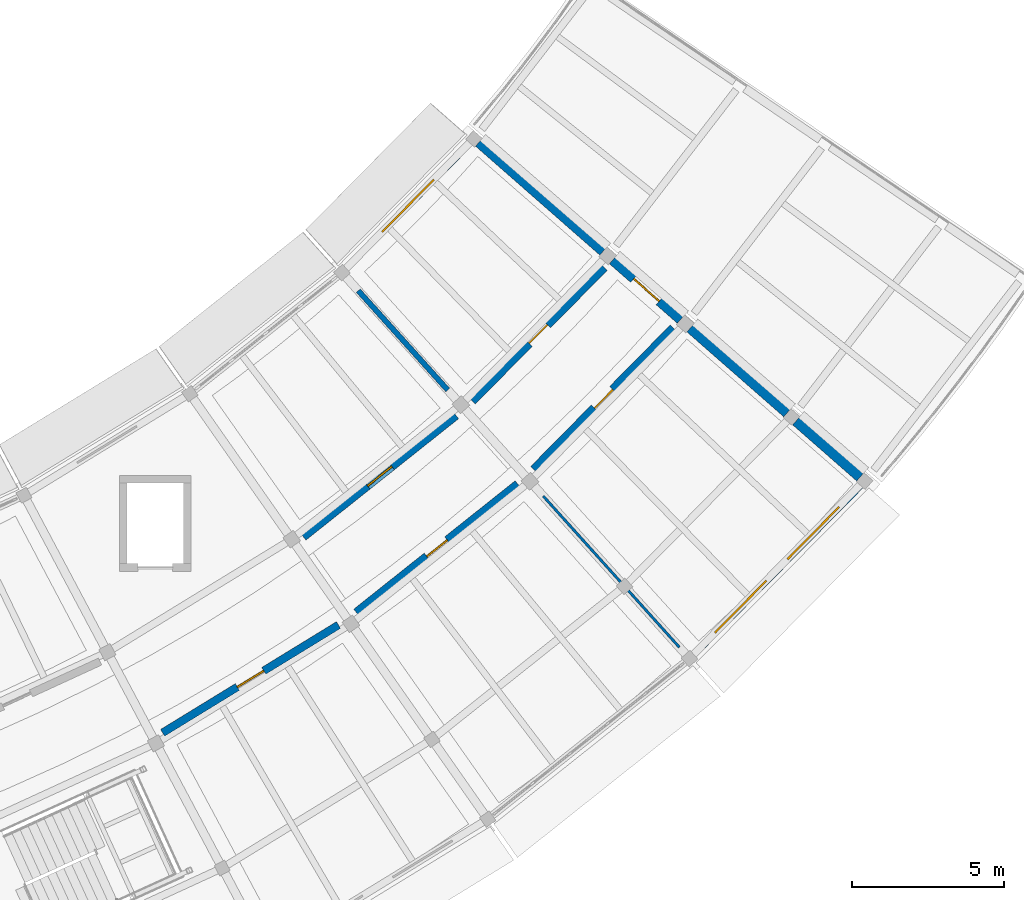
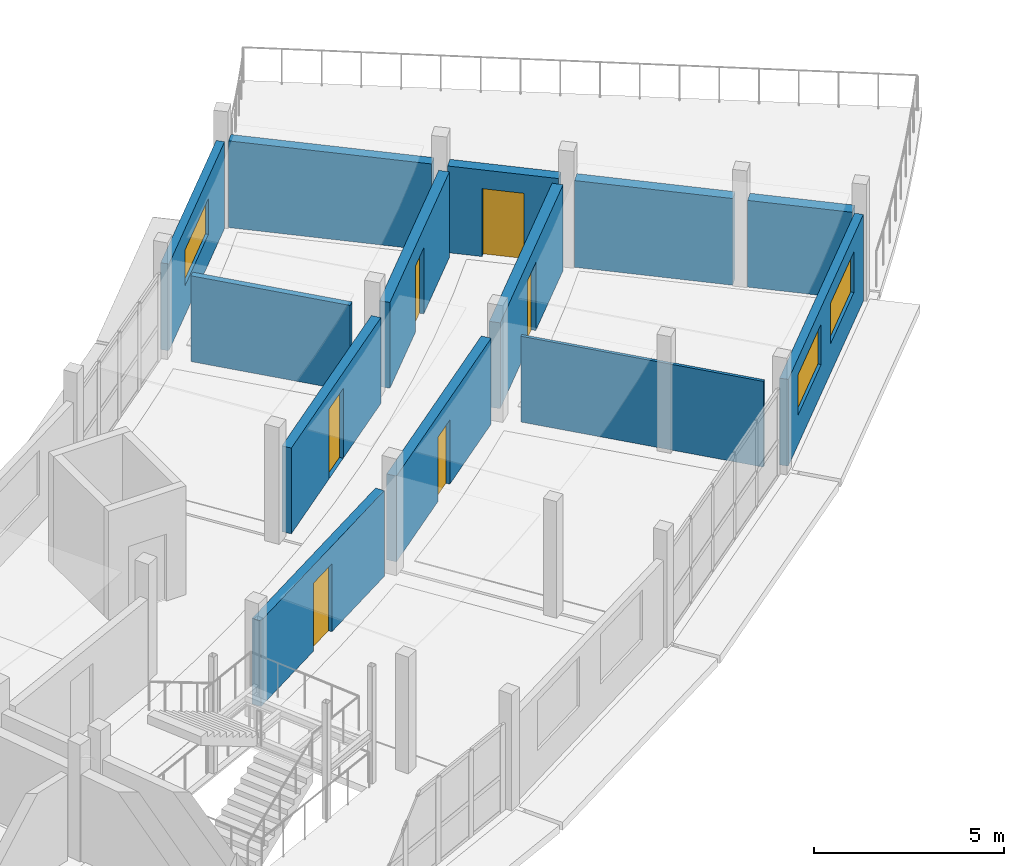
# One storey, part 56 of 66: 13 walls, 6 doors, 3 windows, 9 openings.
"""IFC4 building model written with IfcOpenShell, lengths in metres."""

from ifc_helpers import new_model, si_unit, direction, frame, frame_2d, origin, place, context, subcontext, project, spatial, rectangle, extrude, material, layer, layer_set, type_object, element, fill, save


model = new_model("IFC4")

# Units and contexts
model_context = context("Model", 3, precision=1e-05, world=origin(), true_north=direction((0.0, 1.0)))
body_context = subcontext(model_context, "Body", "Model", "MODEL_VIEW")
ifc_project = project(units=[si_unit("LENGTHUNIT", "METRE"), si_unit("AREAUNIT", "SQUARE_METRE"), si_unit("VOLUMEUNIT", "CUBIC_METRE"), si_unit("PLANEANGLEUNIT", "RADIAN"), si_unit("MASSUNIT", "GRAM", prefix="KILO")], contexts=[model_context])

# Site, building, storey
site_placement = place(None, origin())
site = spatial("IfcSite", under=ifc_project, at=site_placement, CompositionType="ELEMENT")
building_placement = place(site_placement, origin())
building = spatial("IfcBuilding", under=site, at=building_placement, Name="Caldaven Crescent School", CompositionType="ELEMENT")
storey_placement = place(building_placement, frame((0.0, 0.0, 8.159912109375)))
storey = spatial("IfcBuildingStorey", under=building, at=storey_placement, Name="L02", CompositionType="ELEMENT", Elevation=8.159912109375)

# Wall, opening, window
ifc_material_1 = material(Name="Precast concrete C35/45", Category="concrete")
ifc_layer_1 = layer(ifc_material_1, 0.22802734375)
ifc_layer_set_1 = layer_set([ifc_layer_1], Name="Precast concrete C35/45")
wall_type_1 = type_object("IfcWallType", Name="WAL-EW04", PredefinedType="STANDARD", material=ifc_layer_set_1)
wall_1_placement = place(storey_placement, frame((123.23486328125, 57.1630859375, 0.0), z_axis=(0.0, 0.0, 1.0), x_axis=(0.702392539927, 0.711789800331, 0.0)))
wall_1 = element("IfcWall", 1, at=wall_1_placement, inside=storey, type_object=wall_type_1, Name="EW-L02-185", PredefinedType="STANDARD", context=body_context, shape_type="SweptSolid", body=[
    extrude(rectangle(XDim=5.79345703125, YDim=0.22802734375, at=frame_2d((2.896728515625, 0.0))), origin(), (0.0, 0.0, 1.0), 2.780029296875),
])
opening_1_placement = place(wall_1_placement, frame((1.686767578125, 0.0, 0.949951171875)))
opening_1 = element("IfcOpeningElement", 2, at=opening_1_placement, cuts=wall_1, Name="Opening W45", PredefinedType="OPENING", context=body_context, shape_type="SweptSolid", body=[
    extrude(rectangle(XDim=2.419921875, YDim=1.14990234375, at=frame_2d((1.2099609375, 0.574951171875))), frame((0.0, 0.1240234375, 0.0), z_axis=(0.0, -1.0, 0.0), x_axis=(1.0, 0.0, 0.0)), (0.0, 0.0, 1.0), 0.248046875),
])
ifc_material_2 = material(Name="Thermally broken anodised aluminium AA 6063-T6 and low-E double glazing", Category="aluminium")
window_type_1 = type_object("IfcWindowType", Name="WIN-W45", PartitioningType="SINGLE_PANEL", PredefinedType="WINDOW", material=ifc_material_2)
window_1_placement = place(opening_1_placement, origin())
window_1 = element("IfcWindow", 3, at=window_1_placement, inside=storey, type_object=window_type_1, Name="WIN-L02-092-1", OverallHeight=1.14990234375, OverallWidth=2.419921875, PartitioningType="SINGLE_PANEL", PredefinedType="WINDOW", context=body_context, shape_type="SweptSolid", body=[
    extrude(rectangle(XDim=2.419921875, YDim=1.14990234375, at=frame_2d((1.2099609375, 0.574951171875))), frame((0.0, 0.030029296875, 0.0), z_axis=(0.0, -1.0, 0.0), x_axis=(1.0, 0.0, 0.0)), (0.0, 0.0, 1.0), 0.06005859375),
])
fill(opening_1, window_1)

# Wall, openings, windows
ifc_layer_2 = layer(ifc_material_1, 0.239990234375)
ifc_layer_set_2 = layer_set([ifc_layer_2], Name="Precast concrete C35/45")
wall_type_2 = type_object("IfcWallType", Name="WAL-EW05", PredefinedType="STANDARD", material=ifc_layer_set_2)
wall_2_placement = place(storey_placement, frame((134.677001953125, 44.455322265625, 0.0), z_axis=(0.0, 0.0, 1.0), x_axis=(0.702387300311, 0.711794970733, 0.0)))
wall_2 = element("IfcWall", 4, at=wall_2_placement, inside=storey, type_object=wall_type_2, Name="EW-L02-186", PredefinedType="STANDARD", context=body_context, shape_type="SweptSolid", body=[
    extrude(rectangle(XDim=7.811279296875, YDim=0.239990234375, at=frame_2d((3.90576171875, 0.0))), origin(), (0.0, 0.0, 1.0), 2.780029296875),
])
opening_2_placement = place(wall_2_placement, frame((0.990478515625, 0.0, 0.949951171875)))
opening_2 = element("IfcOpeningElement", 5, at=opening_2_placement, cuts=wall_2, Name="Opening W46", PredefinedType="OPENING", context=body_context, shape_type="SweptSolid", body=[
    extrude(rectangle(XDim=2.419921875, YDim=1.300048828125, at=frame_2d((1.2099609375, 0.64990234375))), frame((0.0, 0.1298828125, 0.0), z_axis=(0.0, -1.0, 0.0), x_axis=(1.0, 0.0, 0.0)), (0.0, 0.0, 1.0), 0.260009765625),
])
opening_3_placement = place(wall_2_placement, frame((4.40087890625, 0.0, 0.949951171875)))
opening_3 = element("IfcOpeningElement", 6, at=opening_3_placement, cuts=wall_2, Name="Opening W46", PredefinedType="OPENING", context=body_context, shape_type="SweptSolid", body=[
    extrude(rectangle(XDim=2.419921875, YDim=1.300048828125, at=frame_2d((1.2099609375, 0.64990234375))), frame((0.0, 0.1298828125, 0.0), z_axis=(0.0, -1.0, 0.0), x_axis=(1.0, 0.0, 0.0)), (0.0, 0.0, 1.0), 0.260009765625),
])
window_type_2 = type_object("IfcWindowType", Name="WIN-W46", PartitioningType="SINGLE_PANEL", PredefinedType="WINDOW", material=ifc_material_2)
window_2_placement = place(opening_2_placement, origin())
window_2 = element("IfcWindow", 7, at=window_2_placement, inside=storey, type_object=window_type_2, Name="WIN-L02-093-1", OverallHeight=1.300048828125, OverallWidth=2.419921875, PartitioningType="SINGLE_PANEL", PredefinedType="WINDOW", context=body_context, shape_type="SweptSolid", body=[
    extrude(rectangle(XDim=2.419921875, YDim=1.300048828125, at=frame_2d((1.2099609375, 0.64990234375))), frame((0.0, 0.030029296875, 0.0), z_axis=(0.0, -1.0, 0.0), x_axis=(1.0, 0.0, 0.0)), (0.0, 0.0, 1.0), 0.06005859375),
])
fill(opening_2, window_2)
window_3_placement = place(opening_3_placement, origin())
window_3 = element("IfcWindow", 8, at=window_3_placement, inside=storey, type_object=window_type_2, Name="WIN-L02-093-2", OverallHeight=1.300048828125, OverallWidth=2.419921875, PartitioningType="SINGLE_PANEL", PredefinedType="WINDOW", context=body_context, shape_type="SweptSolid", body=[
    extrude(rectangle(XDim=2.419921875, YDim=1.300048828125, at=frame_2d((1.2099609375, 0.64990234375))), frame((0.0, 0.030029296875, 0.0), z_axis=(0.0, -1.0, 0.0), x_axis=(1.0, 0.0, 0.0)), (0.0, 0.0, 1.0), 0.06005859375),
])
fill(opening_3, window_3)

# Wall
ifc_layer_3 = layer(ifc_material_1, 0.300048828125)
ifc_layer_set_3 = layer_set([ifc_layer_3], Name="Precast concrete C35/45")
wall_type_3 = type_object("IfcWallType", Name="WAL-EW10", PredefinedType="STANDARD", material=ifc_layer_set_3)
wall_3_placement = place(storey_placement, frame((127.592041015625, 61.29736328125, 0.0), z_axis=(0.0, 0.0, 1.0), x_axis=(0.752014754072, -0.65914627334, 0.0)))
element("IfcWall", 9, at=wall_3_placement, inside=storey, type_object=wall_type_3, Name="EW-L02-191", PredefinedType="STANDARD", context=body_context, shape_type="SweptSolid", body=[
    extrude(rectangle(XDim=5.439208984375, YDim=0.300048828125, at=frame_2d((2.7197265625, 0.0))), origin(), (0.0, 0.0, 1.0), 2.780029296875),
])

# Wall, opening, door
ifc_layer_4 = layer(ifc_material_1, 0.31201171875)
ifc_layer_set_4 = layer_set([ifc_layer_4], Name="Precast concrete C35/45")
wall_type_4 = type_object("IfcWallType", Name="WAL-EW11", PredefinedType="STANDARD", material=ifc_layer_set_4)
wall_4_placement = place(storey_placement, frame((132.002685546875, 57.431396484375, 0.0), z_axis=(0.0, 0.0, 1.0), x_axis=(0.751966127371, -0.659201747029, 0.0)))
wall_4 = element("IfcWall", 10, at=wall_4_placement, inside=storey, type_object=wall_type_4, Name="EW-L02-192", PredefinedType="STANDARD", context=body_context, shape_type="SweptSolid", body=[
    extrude(rectangle(XDim=2.973876953125, YDim=0.31201171875, at=frame_2d((1.48681640625, 0.0))), origin(), (0.0, 0.0, 1.0), 2.780029296875),
])
opening_4_placement = place(wall_4_placement, frame((0.927001953125, 0.0, 0.0)))
opening_4 = element("IfcOpeningElement", 11, at=opening_4_placement, cuts=wall_4, Name="Opening D-L02-E031", PredefinedType="OPENING", context=body_context, shape_type="SweptSolid", body=[
    extrude(rectangle(XDim=1.1201171875, YDim=2.179931640625, at=frame_2d((0.56005859375, 1.08984375))), frame((0.0, 0.166015625, 0.0), z_axis=(0.0, -1.0, 0.0), x_axis=(1.0, 0.0, 0.0)), (0.0, 0.0, 1.0), 0.33203125),
])
ifc_material_3 = material(Name="Thermally broken bronze-anodised aluminium and laminated safety glass", Category="aluminium")
door_type_1 = type_object("IfcDoorType", Name="DOR-EX04", OperationType="NOTDEFINED", PredefinedType="DOOR", material=ifc_material_3)
door_1_placement = place(opening_4_placement, origin())
door_1 = element("IfcDoor", 12, at=door_1_placement, inside=storey, type_object=door_type_1, Name="DOR-EXT-L02-031", OperationType="SINGLE_SWING_RIGHT", OverallHeight=2.179931640625, OverallWidth=1.1201171875, PredefinedType="DOOR", context=body_context, shape_type="SweptSolid", body=[
    extrude(rectangle(XDim=1.1201171875, YDim=2.179931640625, at=frame_2d((0.56005859375, 1.08984375))), frame((0.0, 0.02490234375, 0.0), z_axis=(0.0, -1.0, 0.0), x_axis=(1.0, 0.0, 0.0)), (0.0, 0.0, 1.0), 0.050048828125),
])
fill(opening_4, door_1)

# Walls
ifc_layer_5 = layer(ifc_material_1, 0.323974609375)
ifc_layer_set_5 = layer_set([ifc_layer_5], Name="Precast concrete C35/45")
wall_type_5 = type_object("IfcWallType", Name="WAL-EW12", PredefinedType="STANDARD", material=ifc_layer_set_5)
wall_5_placement = place(storey_placement, frame((134.5595703125, 55.190185546875, 0.0), z_axis=(0.0, 0.0, 1.0), x_axis=(0.752030548673, -0.659128252969, 0.0)))
element("IfcWall", 13, at=wall_5_placement, inside=storey, type_object=wall_type_5, Name="EW-L02-193", PredefinedType="STANDARD", context=body_context, shape_type="SweptSolid", body=[
    extrude(rectangle(XDim=4.23876953125, YDim=0.323974609375, at=frame_2d((2.119384765625, 0.0))), origin(), (0.0, 0.0, 1.0), 2.780029296875),
])
ifc_layer_6 = layer(ifc_material_1, 0.3359375)
ifc_layer_set_6 = layer_set([ifc_layer_6], Name="Precast concrete C35/45")
wall_type_6 = type_object("IfcWallType", Name="WAL-EW13", PredefinedType="STANDARD", material=ifc_layer_set_6)
wall_6_placement = place(storey_placement, frame((138.045166015625, 52.135009765625, 0.0), z_axis=(0.0, 0.0, 1.0), x_axis=(0.752031665926, -0.65912697824, 0.0)))
element("IfcWall", 14, at=wall_6_placement, inside=storey, type_object=wall_type_6, Name="EW-L02-194", PredefinedType="STANDARD", context=body_context, shape_type="SweptSolid", body=[
    extrude(rectangle(XDim=2.803955078125, YDim=0.3359375, at=frame_2d((1.40185546875, 0.0))), origin(), (0.0, 0.0, 1.0), 2.780029296875),
])

# Wall, opening, door
ifc_material_4 = material(Name="Acoustic timber-stud and fire-rated gypsum board assembly", Category="wood")
ifc_layer_7 = layer(ifc_material_4, 0.260009765625)
ifc_layer_set_7 = layer_set([ifc_layer_7], Name="Acoustic timber-stud and fire-rated gypsum board assembly")
wall_type_7 = type_object("IfcWallType", Name="WAL-IW11", PredefinedType="STANDARD", material=ifc_layer_set_7)
wall_7_placement = place(storey_placement, frame((117.188720703125, 41.869140625, 0.0), z_axis=(0.0, 0.0, 1.0), x_axis=(0.852640514979, 0.522497992547, 0.0)))
wall_7 = element("IfcWall", 15, at=wall_7_placement, inside=storey, type_object=wall_type_7, Name="IW-L02-0250", PredefinedType="STANDARD", context=body_context, shape_type="SweptSolid", body=[
    extrude(rectangle(XDim=6.79150390625, YDim=0.260009765625, at=frame_2d((3.395751953125, 0.0))), origin(), (0.0, 0.0, 1.0), 2.75),
])
opening_5_placement = place(wall_7_placement, frame((2.8857421875, 0.0, 0.0)))
opening_5 = element("IfcOpeningElement", 16, at=opening_5_placement, cuts=wall_7, Name="Opening D-L02-I178", PredefinedType="OPENING", context=body_context, shape_type="SweptSolid", body=[
    extrude(rectangle(XDim=1.02001953125, YDim=2.179931640625, at=frame_2d((0.510009765625, 1.08984375))), frame((0.0, 0.139892578125, 0.0), z_axis=(0.0, -1.0, 0.0), x_axis=(1.0, 0.0, 0.0)), (0.0, 0.0, 1.0), 0.280029296875),
])
ifc_material_5 = material(Name="Solid-core Pino Radiata acoustic timber leaf in steel frame", Category="steel")
door_type_2 = type_object("IfcDoorType", Name="DOR-ID19", OperationType="NOTDEFINED", PredefinedType="DOOR", material=ifc_material_5)
door_2_placement = place(opening_5_placement, origin())
door_2 = element("IfcDoor", 17, at=door_2_placement, inside=storey, type_object=door_type_2, Name="DOR-INT-L02-0178", OperationType="SINGLE_SWING_LEFT", OverallHeight=2.179931640625, OverallWidth=1.02001953125, PredefinedType="DOOR", context=body_context, shape_type="SweptSolid", body=[
    extrude(rectangle(XDim=1.02001953125, YDim=2.179931640625, at=frame_2d((0.510009765625, 1.08984375))), frame((0.0, 0.02490234375, 0.0), z_axis=(0.0, -1.0, 0.0), x_axis=(1.0, 0.0, 0.0)), (0.0, 0.0, 1.0), 0.050048828125),
])
fill(opening_5, door_2)

ifc_material_6 = material(Name="Autoclaved aerated concrete block masonry G5", Category="masonry")
ifc_layer_8 = layer(ifc_material_6, 0.27001953125)
ifc_layer_set_8 = layer_set([ifc_layer_8], Name="Autoclaved aerated concrete block masonry G5")
wall_type_8 = type_object("IfcWallType", Name="WAL-IW12", PredefinedType="STANDARD", material=ifc_layer_set_8)
wall_8_placement = place(storey_placement, frame((121.824462890625, 48.320068359375, 0.0), z_axis=(0.0, 0.0, 1.0), x_axis=(0.782605685559, 0.622517743467, 0.0)))
wall_8 = element("IfcWall", 18, at=wall_8_placement, inside=storey, type_object=wall_type_8, Name="IW-L02-0251", PredefinedType="STANDARD", context=body_context, shape_type="SweptSolid", body=[
    extrude(rectangle(XDim=6.42041015625, YDim=0.27001953125, at=frame_2d((3.210205078125, 0.0))), origin(), (0.0, 0.0, 1.0), 2.75),
])
opening_6_placement = place(wall_8_placement, frame((2.7001953125, 0.0, 0.0)))
opening_6 = element("IfcOpeningElement", 19, at=opening_6_placement, cuts=wall_8, Name="Opening D-L02-I179", PredefinedType="OPENING", context=body_context, shape_type="SweptSolid", body=[
    extrude(rectangle(XDim=1.02001953125, YDim=2.239990234375, at=frame_2d((0.510009765625, 1.1201171875))), frame((0.0, 0.14501953125, 0.0), z_axis=(0.0, -1.0, 0.0), x_axis=(1.0, 0.0, 0.0)), (0.0, 0.0, 1.0), 0.2900390625),
])
door_type_3 = type_object("IfcDoorType", Name="DOR-ID20", OperationType="NOTDEFINED", PredefinedType="DOOR", material=ifc_material_5)
door_3_placement = place(opening_6_placement, frame((1.02001953125, 0.0, 0.0), z_axis=(0.0, 0.0, 1.0), x_axis=(-1.0, 0.0, 0.0)))
door_3 = element("IfcDoor", 20, at=door_3_placement, inside=storey, type_object=door_type_3, Name="DOR-INT-L02-0179", OperationType="SINGLE_SWING_RIGHT", OverallHeight=2.239990234375, OverallWidth=1.02001953125, PredefinedType="DOOR", context=body_context, shape_type="SweptSolid", body=[
    extrude(rectangle(XDim=1.02001953125, YDim=2.239990234375, at=frame_2d((0.510009765625, 1.1201171875))), frame((0.0, 0.02490234375, 0.0), z_axis=(0.0, -1.0, 0.0), x_axis=(1.0, 0.0, 0.0)), (0.0, 0.0, 1.0), 0.050048828125),
])
fill(opening_6, door_3)

ifc_layer_9 = layer(ifc_material_6, 0.280029296875)
ifc_layer_set_9 = layer_set([ifc_layer_9], Name="Autoclaved aerated concrete block masonry G5")
wall_type_9 = type_object("IfcWallType", Name="WAL-IW13", PredefinedType="STANDARD", material=ifc_layer_set_9)
wall_9_placement = place(storey_placement, frame((123.568115234375, 45.829833984375, 0.0), z_axis=(0.0, 0.0, 1.0), x_axis=(0.782615780998, 0.622505051653, 0.0)))
wall_9 = element("IfcWall", 21, at=wall_9_placement, inside=storey, type_object=wall_type_9, Name="IW-L02-0252", PredefinedType="STANDARD", context=body_context, shape_type="SweptSolid", body=[
    extrude(rectangle(XDim=6.79150390625, YDim=0.280029296875, at=frame_2d((3.395751953125, 0.0))), origin(), (0.0, 0.0, 1.0), 2.75),
])
opening_7_placement = place(wall_9_placement, frame((2.9658203125, 0.0, 0.0)))
opening_7 = element("IfcOpeningElement", 22, at=opening_7_placement, cuts=wall_9, Name="Opening D-L02-I180", PredefinedType="OPENING", context=body_context, shape_type="SweptSolid", body=[
    extrude(rectangle(XDim=0.860107421875, YDim=2.06005859375, at=frame_2d((0.43017578125, 1.030029296875))), frame((0.0, 0.14990234375, 0.0), z_axis=(0.0, -1.0, 0.0), x_axis=(1.0, 0.0, 0.0)), (0.0, 0.0, 1.0), 0.300048828125),
])
door_type_4 = type_object("IfcDoorType", Name="DOR-ID01", OperationType="NOTDEFINED", PredefinedType="DOOR", material=ifc_material_5)
door_4_placement = place(opening_7_placement, origin())
door_4 = element("IfcDoor", 23, at=door_4_placement, inside=storey, type_object=door_type_4, Name="DOR-INT-L02-0180", OperationType="SINGLE_SWING_LEFT", OverallHeight=2.06005859375, OverallWidth=0.860107421875, PredefinedType="DOOR", context=body_context, shape_type="SweptSolid", body=[
    extrude(rectangle(XDim=0.860107421875, YDim=2.06005859375, at=frame_2d((0.43017578125, 1.030029296875))), frame((0.0, 0.02490234375, 0.0), z_axis=(0.0, -1.0, 0.0), x_axis=(1.0, 0.0, 0.0)), (0.0, 0.0, 1.0), 0.050048828125),
])
fill(opening_7, door_4)

ifc_layer_10 = layer(ifc_material_6, 0.2900390625)
ifc_layer_set_10 = layer_set([ifc_layer_10], Name="Autoclaved aerated concrete block masonry G5")
wall_type_10 = type_object("IfcWallType", Name="WAL-IW14", PredefinedType="STANDARD", material=ifc_layer_set_10)
wall_10_placement = place(storey_placement, frame((127.383544921875, 52.797119140625, 0.0), z_axis=(0.0, 0.0, 1.0), x_axis=(0.702370898593, 0.7118111553, 0.0)))
wall_10 = element("IfcWall", 24, at=wall_10_placement, inside=storey, type_object=wall_type_10, Name="IW-L02-0253", PredefinedType="STANDARD", context=body_context, shape_type="SweptSolid", body=[
    extrude(rectangle(XDim=6.180908203125, YDim=0.2900390625, at=frame_2d((3.09033203125, 0.0))), origin(), (0.0, 0.0, 1.0), 2.75),
])
opening_8_placement = place(wall_10_placement, frame((2.660400390625, 0.0, 0.0)))
opening_8 = element("IfcOpeningElement", 25, at=opening_8_placement, cuts=wall_10, Name="Opening D-L02-I181", PredefinedType="OPENING", context=body_context, shape_type="SweptSolid", body=[
    extrude(rectangle(XDim=0.860107421875, YDim=2.1201171875, at=frame_2d((0.43017578125, 1.06005859375))), frame((0.0, 0.155029296875, 0.0), z_axis=(0.0, -1.0, 0.0), x_axis=(1.0, 0.0, 0.0)), (0.0, 0.0, 1.0), 0.31005859375),
])
door_type_5 = type_object("IfcDoorType", Name="DOR-ID02", OperationType="NOTDEFINED", PredefinedType="DOOR", material=ifc_material_5)
door_5_placement = place(opening_8_placement, frame((0.860107421875, 0.0, 0.0), z_axis=(0.0, 0.0, 1.0), x_axis=(-1.0, 0.0, 0.0)))
door_5 = element("IfcDoor", 26, at=door_5_placement, inside=storey, type_object=door_type_5, Name="DOR-INT-L02-0181", OperationType="SINGLE_SWING_RIGHT", OverallHeight=2.1201171875, OverallWidth=0.860107421875, PredefinedType="DOOR", context=body_context, shape_type="SweptSolid", body=[
    extrude(rectangle(XDim=0.860107421875, YDim=2.1201171875, at=frame_2d((0.43017578125, 1.06005859375))), frame((0.0, 0.02490234375, 0.0), z_axis=(0.0, -1.0, 0.0), x_axis=(1.0, 0.0, 0.0)), (0.0, 0.0, 1.0), 0.050048828125),
])
fill(opening_8, door_5)

ifc_layer_11 = layer(ifc_material_6, 0.300048828125)
ifc_layer_set_11 = layer_set([ifc_layer_11], Name="Autoclaved aerated concrete block masonry G5")
wall_type_11 = type_object("IfcWallType", Name="WAL-IW15", PredefinedType="STANDARD", material=ifc_layer_set_11)
wall_11_placement = place(storey_placement, frame((129.417724609375, 50.5380859375, 0.0), z_axis=(0.0, 0.0, 1.0), x_axis=(0.702368484449, 0.711813537419, 0.0)))
wall_11 = element("IfcWall", 27, at=wall_11_placement, inside=storey, type_object=wall_type_11, Name="IW-L02-0254", PredefinedType="STANDARD", context=body_context, shape_type="SweptSolid", body=[
    extrude(rectangle(XDim=6.539794921875, YDim=0.300048828125, at=frame_2d((3.27001953125, 0.0))), origin(), (0.0, 0.0, 1.0), 2.75),
])
opening_9_placement = place(wall_11_placement, frame((2.83984375, 0.0, 0.0)))
opening_9 = element("IfcOpeningElement", 28, at=opening_9_placement, cuts=wall_11, Name="Opening D-L02-I182", PredefinedType="OPENING", context=body_context, shape_type="SweptSolid", body=[
    extrude(rectangle(XDim=0.860107421875, YDim=2.179931640625, at=frame_2d((0.43017578125, 1.08984375))), frame((0.0, 0.159912109375, 0.0), z_axis=(0.0, -1.0, 0.0), x_axis=(1.0, 0.0, 0.0)), (0.0, 0.0, 1.0), 0.320068359375),
])
door_type_6 = type_object("IfcDoorType", Name="DOR-ID03", OperationType="NOTDEFINED", PredefinedType="DOOR", material=ifc_material_5)
door_6_placement = place(opening_9_placement, origin())
door_6 = element("IfcDoor", 29, at=door_6_placement, inside=storey, type_object=door_type_6, Name="DOR-INT-L02-0182", OperationType="SINGLE_SWING_LEFT", OverallHeight=2.179931640625, OverallWidth=0.860107421875, PredefinedType="DOOR", context=body_context, shape_type="SweptSolid", body=[
    extrude(rectangle(XDim=0.860107421875, YDim=2.179931640625, at=frame_2d((0.43017578125, 1.08984375))), frame((0.0, 0.02490234375, 0.0), z_axis=(0.0, -1.0, 0.0), x_axis=(1.0, 0.0, 0.0)), (0.0, 0.0, 1.0), 0.050048828125),
])
fill(opening_9, door_6)

# Walls
ifc_material_7 = material(Name="Acoustic double-layer gypsum partition on galvanised steel studs", Category="steel")
ifc_layer_12 = layer(ifc_material_7, 0.0859375)
ifc_layer_set_12 = layer_set([ifc_layer_12], Name="Acoustic double-layer gypsum partition on galvanised steel studs")
wall_type_12 = type_object("IfcWallType", Name="WAL-PT01", PredefinedType="PARTITIONING", material=ifc_layer_set_12)
wall_12_placement = place(storey_placement, frame((129.72021484375, 49.6650390625, 0.0), z_axis=(0.0, 0.0, 1.0), x_axis=(0.669115705072, -0.743158242386, 0.0)))
element("IfcWall", 30, at=wall_12_placement, inside=storey, type_object=wall_type_12, Name="IW-L02-0256", PredefinedType="PARTITIONING", context=body_context, shape_type="SweptSolid", body=[
    extrude(rectangle(XDim=6.7001953125, YDim=0.0859375, at=frame_2d((3.35009765625, 0.0))), origin(), (0.0, 0.0, 1.0), 2.75),
])
ifc_layer_13 = layer(ifc_material_7, 0.176025390625)
ifc_layer_set_13 = layer_set([ifc_layer_13], Name="Acoustic double-layer gypsum partition on galvanised steel studs")
wall_type_13 = type_object("IfcWallType", Name="WAL-PT16", PredefinedType="PARTITIONING", material=ifc_layer_set_13)
wall_13_placement = place(storey_placement, frame((123.631103515625, 56.427490234375, 0.0), z_axis=(0.0, 0.0, 1.0), x_axis=(0.669157836149, -0.743120306761, 0.0)))
element("IfcWall", 31, at=wall_13_placement, inside=storey, type_object=wall_type_13, Name="IW-L02-0255", PredefinedType="PARTITIONING", context=body_context, shape_type="SweptSolid", body=[
    extrude(rectangle(XDim=4.400146484375, YDim=0.176025390625, at=frame_2d((2.2001953125, 0.0))), origin(), (0.0, 0.0, 1.0), 2.75),
])

save(model, "model.ifc")
